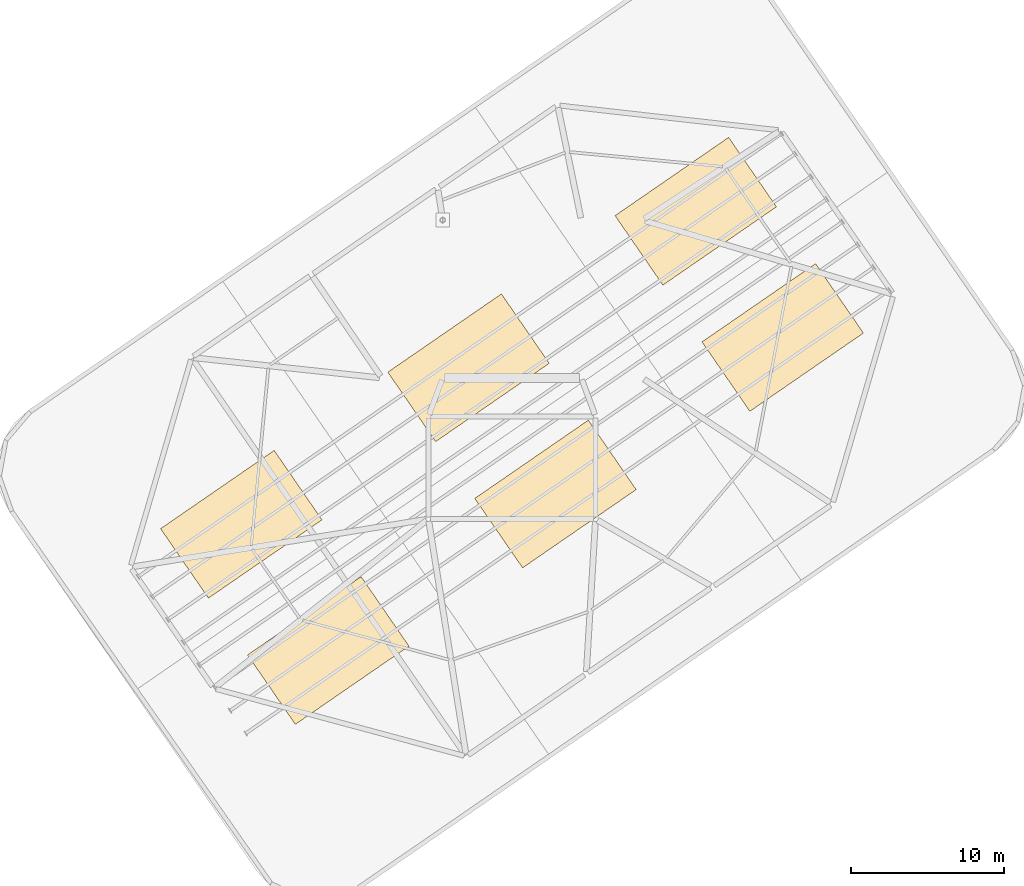
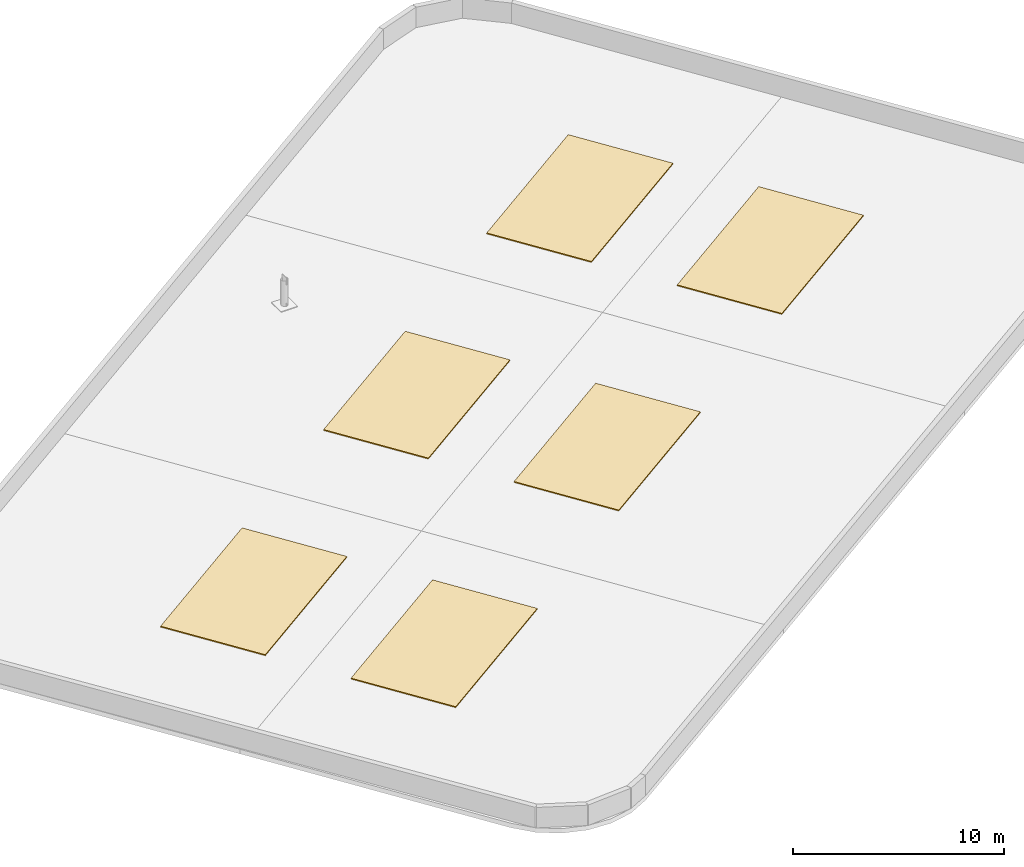
# One storey, part 7 of 7: 6 coverings.
"""IFC4 building model written with IfcOpenShell, lengths in metres."""

from ifc_helpers import new_model, si_unit, direction, frame, origin, origin_2d, place, context, subcontext, project, spatial, rectangle, extrude, source, transform, mapped, material, layer, layer_set, type_object, element, save


model = new_model("IFC4")

# Units and contexts
model_context = context("Model", 3, precision=1e-05, world=origin(), true_north=direction((0.0, 1.0)))
body_context = subcontext(model_context, "Body", "Model", "MODEL_VIEW")
ifc_project = project(units=[si_unit("LENGTHUNIT", "METRE"), si_unit("AREAUNIT", "SQUARE_METRE"), si_unit("VOLUMEUNIT", "CUBIC_METRE"), si_unit("PLANEANGLEUNIT", "RADIAN"), si_unit("MASSUNIT", "GRAM", prefix="KILO")], contexts=[model_context])

# Site, building, storey
site_placement = place(None, origin())
site = spatial("IfcSite", under=ifc_project, at=site_placement, CompositionType="ELEMENT")
building_placement = place(site_placement, origin())
building = spatial("IfcBuilding", under=site, at=building_placement, Name="Varnelok Gate Tower", CompositionType="ELEMENT")
storey_placement = place(building_placement, frame((0.0, 0.0, 310.699951171875)))
storey = spatial("IfcBuildingStorey", under=building, at=storey_placement, Name="ROOF", CompositionType="ELEMENT", Elevation=310.699951171875)

# Coverings
ifc_material = material(Name="EPDM Single-Ply Waterproofing Membrane")
ifc_layer = layer(ifc_material, 0.06005859375)
ifc_layer_set = layer_set([ifc_layer], Name="EPDM Single-Ply Waterproofing Membrane")
covering_type = type_object("IfcCoveringType", Name="COV-ROOF-MEMB", PredefinedType="ROOFING", material=ifc_layer_set)
shared_shape = source(origin(), body_context, "Body", "SweptSolid", [
    extrude(rectangle(XDim=9.0, YDim=5.5, at=origin_2d()), origin(), (0.0, 0.0, 1.0), 0.06005859375),
])
for number, where, z_axis, x_axis, name in (
    (1, (27.212890625, 10.971435546875, 0.0), (0.0, 0.0, 1.0), (0.823532597628, 0.567268949127, 0.0), "ROOF Waterproofing Membrane Sector 1"),
    (2, (42.036376953125, 21.182373046875, 0.0), (0.0, 0.0, 1.0), (0.823532597628, 0.567268949127, 0.0), "ROOF Waterproofing Membrane Sector 2"),
    (3, (56.85986328125, 31.393310546875, 0.0), (0.0, 0.0, 1.0), (0.823532597628, 0.567268949127, 0.0), "ROOF Waterproofing Membrane Sector 3"),
    (4, (21.5400390625, 19.206787109375, 0.0), (0.0, 0.0, 1.0), (0.823532597628, 0.567268949127, 0.0), "ROOF Waterproofing Membrane Sector 4"),
    (5, (36.36376953125, 29.417724609375, 0.0), (0.0, 0.0, 1.0), (0.823532597628, 0.567268949127, 0.0), "ROOF Waterproofing Membrane Sector 5"),
    (6, (51.187255859375, 39.62841796875, 0.0), (0.0, 0.0, 1.0), (0.823532597628, 0.567268949127, 0.0), "ROOF Waterproofing Membrane Sector 6"),
):
    element("IfcCovering", number, at=place(storey_placement, frame(where, z_axis=z_axis, x_axis=x_axis)), inside=storey, type_object=covering_type, Name=name, PredefinedType="ROOFING", context=body_context, shape_type="MappedRepresentation", body=[
        mapped(shared_shape, transform((0.0, 0.0, 0.0), scale=1.0)),
    ])

save(model, "model.ifc")
